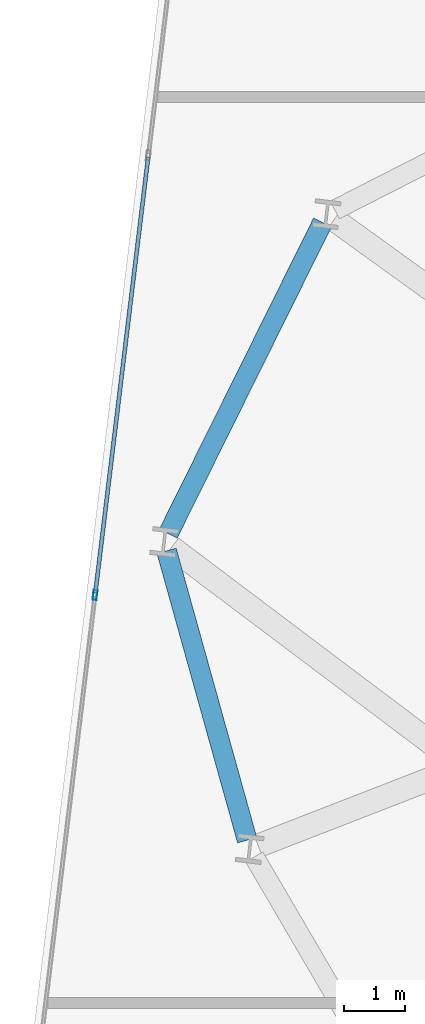
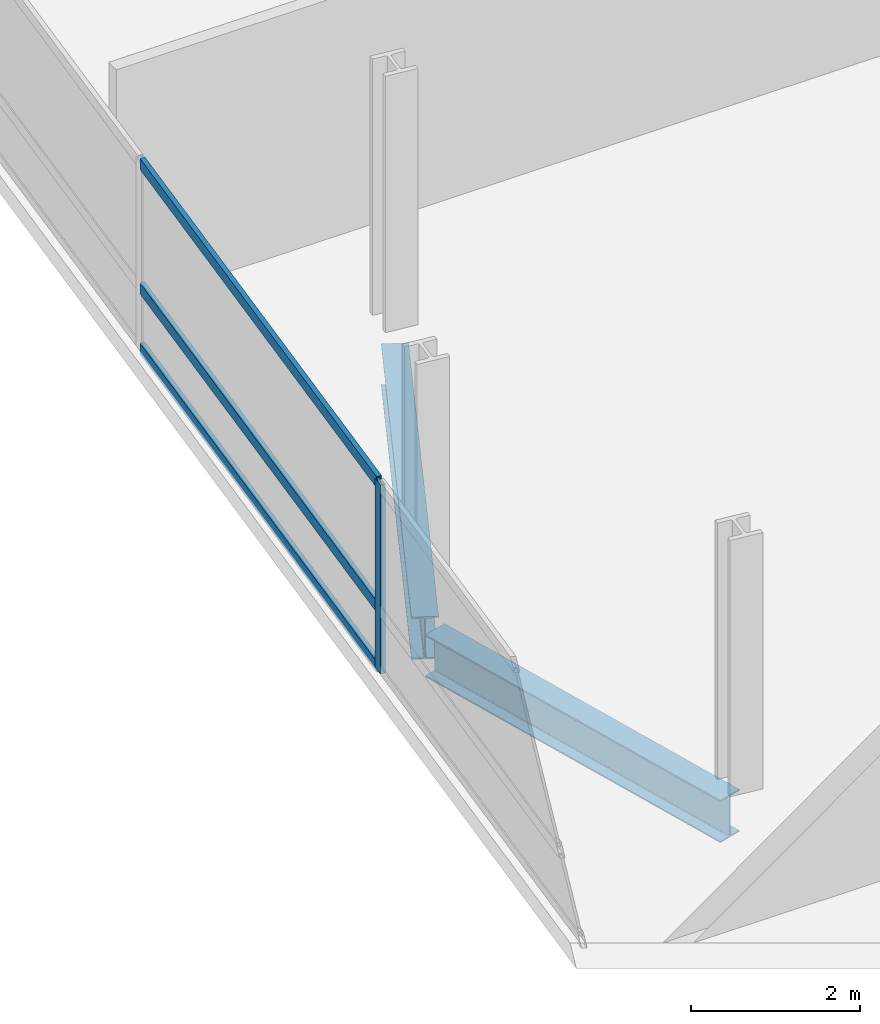
# One storey, part 8 of 26: 4 members, 2 beams, 1 element without a shape of its own.
"""IFC4 building model written with IfcOpenShell, lengths in metres."""

from ifc_helpers import new_model, si_unit, direction, frame, origin, origin_2d, place, context, subcontext, project, spatial, hollow_rectangle, i_section, extrude, material, layer, layer_set, material_profile, profile_set, type_object, element, aggregate, save


model = new_model("IFC4")

# Units and contexts
model_context = context("Model", 3, precision=1e-05, world=origin(), true_north=direction((0.0, 1.0)))
body_context = subcontext(model_context, "Body", "Model", "MODEL_VIEW")
ifc_project = project(units=[si_unit("LENGTHUNIT", "METRE"), si_unit("AREAUNIT", "SQUARE_METRE"), si_unit("VOLUMEUNIT", "CUBIC_METRE"), si_unit("PLANEANGLEUNIT", "RADIAN"), si_unit("MASSUNIT", "GRAM", prefix="KILO")], contexts=[model_context])

# Site, building, storey
site_placement = place(None, origin())
site = spatial("IfcSite", under=ifc_project, at=site_placement, CompositionType="ELEMENT")
building_placement = place(site_placement, origin())
building = spatial("IfcBuilding", under=site, at=building_placement, Name="Varnelok Gate Tower", CompositionType="ELEMENT")
storey_placement = place(building_placement, frame((0.0, 0.0, 129.10009765625)))
storey = spatial("IfcBuildingStorey", under=building, at=storey_placement, Name="L32", CompositionType="ELEMENT", Elevation=129.10009765625)

# Beams
ifc_material_1 = material(Name="Structural Steel ASTM A992 Grade 50", Category="steel")
ifc_material_profile_1 = material_profile(ifc_material_1, i_section(OverallWidth=0.323974609375, OverallDepth=0.611083984375, WebThickness=0.0126953125, FlangeThickness=0.01904296875, FilletRadius=0.01806640625, at=origin_2d()), Name="W24X104")
ifc_profile_set_1 = profile_set([ifc_material_profile_1], Name="Structural Steel ASTM A992 Grade 50")
beam_type = type_object("IfcBeamType", Name="BM-SPN-W24X104", PredefinedType="SPANDREL", material=ifc_profile_set_1)
beam_1_placement = place(storey_placement, frame((6.54052734375, 39.391357421875, -0.5556640625), z_axis=(-0.444186129993, -0.89593452993, 0.0), x_axis=(0.89593452993, -0.444186129993, 0.0)))
element("IfcBeam", 1, at=beam_1_placement, inside=storey, type_object=beam_type, Name="L32 Perimeter Spandrel Beam 14", PredefinedType="SPANDREL", context=body_context, shape_type="SweptSolid", body=[
    extrude(i_section(OverallWidth=0.323974609375, OverallDepth=0.611083984375, WebThickness=0.0126953125, FlangeThickness=0.01904296875, FilletRadius=0.01806640625, at=origin_2d()), origin(), (0.0, 0.0, 1.0), 5.649658203125),
])
beam_2_placement = place(storey_placement, frame((4.004638671875, 34.050537109375, -0.5556640625), z_axis=(0.268350251133, -0.963321411948, 0.0), x_axis=(0.963321411948, 0.268350251133, 0.0)))
element("IfcBeam", 2, at=beam_2_placement, inside=storey, type_object=beam_type, Name="L32 Perimeter Spandrel Beam 15", PredefinedType="SPANDREL", context=body_context, shape_type="SweptSolid", body=[
    extrude(i_section(OverallWidth=0.323974609375, OverallDepth=0.611083984375, WebThickness=0.0126953125, FlangeThickness=0.01904296875, FilletRadius=0.01806640625, at=origin_2d()), origin(), (0.0, 0.0, 1.0), 4.8837890625),
])

# Curtain wall, members
ifc_material_2 = material(Name="Anodized Aluminum Alloy 6063-T6", Category="aluminium")
ifc_layer = layer(ifc_material_2, 0.179931640625)
ifc_layer_set = layer_set([ifc_layer], Name="Anodized Aluminum Alloy 6063-T6")
curtain_wall_type = type_object("IfcCurtainWallType", Name="CW3-HOTEL-VISION", PredefinedType="USERDEFINED", material=ifc_layer_set)
curtain_wall_placement = place(storey_placement, origin())
curtain_wall = element("IfcCurtainWall", 3, at=curtain_wall_placement, inside=storey, type_object=curtain_wall_type, Name="L32 West End Vision Curtain Wall", ObjectType="UNITISED CURTAIN WALL", PredefinedType="USERDEFINED")
ifc_material_profile_2 = material_profile(ifc_material_2, hollow_rectangle(XDim=0.06494140625, YDim=0.159912109375, WallThickness=0.00390625, at=origin_2d()), Name="ALU160X65X4")
ifc_profile_set_2 = profile_set([ifc_material_profile_2], Name="Anodized Aluminum Alloy 6063-T6")
member_type_1 = type_object("IfcMemberType", Name="CW-MULL-160", PredefinedType="MULLION", material=ifc_profile_set_2)
member_1_placement = place(storey_placement, frame((2.842529296875, 33.333740234375, 0.0), z_axis=(0.0, 0.0, 1.0), x_axis=(-0.99273188146, 0.120347046212, 0.0)))
member_1 = element("IfcMember", 4, at=member_1_placement, type_object=member_type_1, Name="CW3 mullion 4", PredefinedType="MULLION", context=body_context, shape_type="SweptSolid", body=[
    extrude(hollow_rectangle(XDim=0.06494140625, YDim=0.159912109375, WallThickness=0.00390625, at=origin_2d()), origin(), (0.0, 0.0, 1.0), 2.72998046875),
])
ifc_material_profile_3 = material_profile(ifc_material_2, hollow_rectangle(XDim=0.06494140625, YDim=0.159912109375, WallThickness=0.00390625, at=origin_2d()), Name="ALU160X65X4")
ifc_profile_set_3 = profile_set([ifc_material_profile_3], Name="Anodized Aluminum Alloy 6063-T6")
member_type_2 = type_object("IfcMemberType", Name="CW-TRAN-160", PredefinedType="USERDEFINED", material=ifc_profile_set_3)
member_2_placement = place(storey_placement, frame((2.846435546875, 33.3662109375, 0.032470703125), z_axis=(0.120344652138, 0.992732171687, 0.0), x_axis=(-0.992732171687, 0.120344652138, 0.0)))
member_2 = element("IfcMember", 5, at=member_2_placement, type_object=member_type_2, Name="CW3 transom 4.1", ObjectType="TRANSOM", PredefinedType="USERDEFINED", context=body_context, shape_type="SweptSolid", body=[
    extrude(hollow_rectangle(XDim=0.06494140625, YDim=0.159912109375, WallThickness=0.00390625, at=origin_2d()), origin(), (0.0, 0.0, 1.0), 7.134765625),
])
member_3_placement = place(storey_placement, frame((2.846435546875, 33.3662109375, 0.89990234375), z_axis=(0.120344652138, 0.992732171687, 0.0), x_axis=(-0.992732171687, 0.120344652138, 0.0)))
member_3 = element("IfcMember", 6, at=member_3_placement, type_object=member_type_2, Name="CW3 transom 4.2", ObjectType="TRANSOM", PredefinedType="USERDEFINED", context=body_context, shape_type="SweptSolid", body=[
    extrude(hollow_rectangle(XDim=0.06494140625, YDim=0.159912109375, WallThickness=0.00390625, at=origin_2d()), origin(), (0.0, 0.0, 1.0), 7.134765625),
])
member_4_placement = place(storey_placement, frame((2.846435546875, 33.3662109375, 2.697509765625), z_axis=(0.120344652138, 0.992732171687, 0.0), x_axis=(-0.992732171687, 0.120344652138, 0.0)))
member_4 = element("IfcMember", 7, at=member_4_placement, type_object=member_type_2, Name="CW3 transom 4.3", ObjectType="TRANSOM", PredefinedType="USERDEFINED", context=body_context, shape_type="SweptSolid", body=[
    extrude(hollow_rectangle(XDim=0.06494140625, YDim=0.159912109375, WallThickness=0.00390625, at=origin_2d()), origin(), (0.0, 0.0, 1.0), 7.134765625),
])
aggregate(curtain_wall, [member_1, member_2, member_3, member_4])

save(model, "model.ifc")
